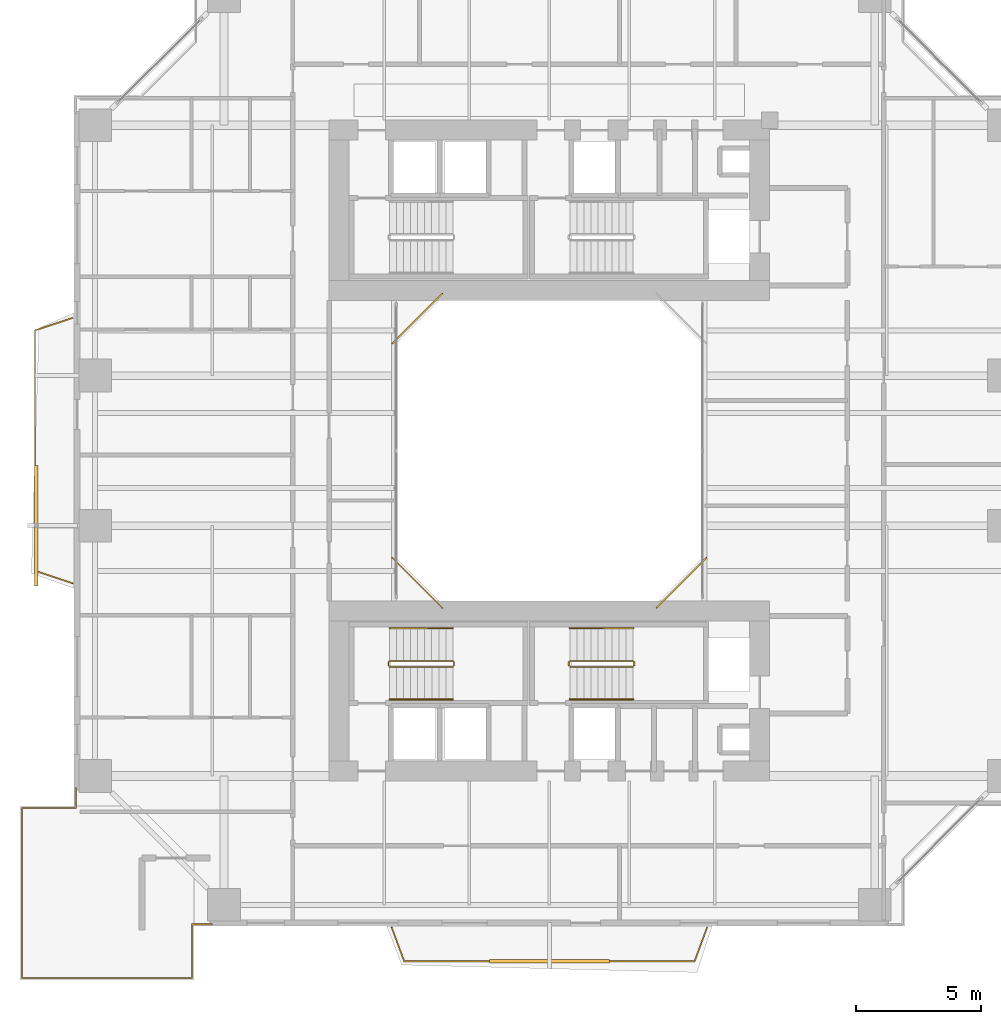
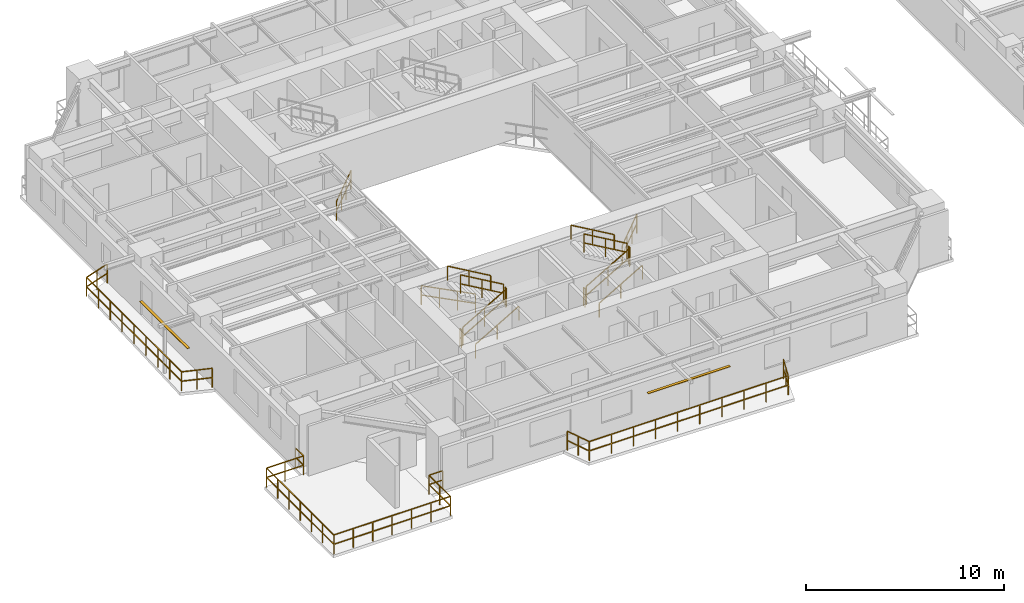
# One storey, part 20 of 24: 18 railings, 2 shading devices.
"""IFC4 building model written with IfcOpenShell, lengths in metres."""

import ifcopenshell
import ifcopenshell.guid

model = None  # the IFC model being written
_history = None  # IfcOwnerHistory: only IFC2X3 demands one
_inside = {}  # id of a spatial element -> (the spatial element, [elements in it])
_under = {}  # id of a project, library or spatial element -> (it, [spatial elements below it])
_declared = {}  # id of a project -> (the project, [libraries it declares])
_typed = {}  # id of a type object -> (the type object, [elements of that type])
_made_of = {}  # id of a material, layer set ... -> (it, [elements and type objects made of it])


def new_model(schema):
    """Start an empty IFC model of exactly this schema.

    Asked for "IFC4X3", IfcOpenShell would pick the latest addendum, in which some entities
    have other attributes; the version numbers below select the first issue.
    IFC2X3 requires an IfcOwnerHistory on every rooted entity: one is made here for all.
    """
    global model, _history
    if schema == "IFC4X3":
        model = ifcopenshell.file(schema_version=(4, 3, 0, 0))
    else:
        model = ifcopenshell.file(schema=schema)
    _inside.clear()
    _under.clear()
    _declared.clear()
    _typed.clear()
    _made_of.clear()
    _history = None
    if model.schema == "IFC2X3":
        org = make("IfcOrganization", Name="unknown")
        user = make(
            "IfcPersonAndOrganization",
            ThePerson=make("IfcPerson", FamilyName="unknown"),
            TheOrganization=org,
        )
        app = make(
            "IfcApplication",
            ApplicationDeveloper=org,
            Version="unknown",
            ApplicationFullName="unknown",
            ApplicationIdentifier="unknown",
        )
        _history = make(
            "IfcOwnerHistory",
            OwningUser=user,
            OwningApplication=app,
            ChangeAction="ADDED",
            CreationDate=0,
        )
    return model


def make(cls, **values):
    """One entity of the class cls with the attributes given. An attribute that is None is left unset."""
    return model.create_entity(
        cls, **{name: value for name, value in values.items() if value is not None}
    )


def rooted(cls, **values):
    """An entity with a GlobalId (a new one), such as an element, a storey or a relation."""
    return make(cls, GlobalId=ifcopenshell.guid.new(), OwnerHistory=_history, **values)


def si_unit(unit_type, name, prefix=None):
    """IfcSIUnit, for example si_unit("LENGTHUNIT", "METRE", prefix="MILLI")."""
    return make("IfcSIUnit", UnitType=unit_type, Prefix=prefix, Name=name)


def assignment(units):
    """IfcUnitAssignment: the units of a project."""
    return None if units is None else make("IfcUnitAssignment", Units=units)


def point(xyz):
    """IfcCartesianPoint."""
    return None if xyz is None else make("IfcCartesianPoint", Coordinates=xyz)


def direction(xyz):
    """IfcDirection."""
    return None if xyz is None else make("IfcDirection", DirectionRatios=xyz)


def frame(location, z_axis=None, x_axis=None):
    """IfcAxis2Placement3D, a coordinate frame: its origin and axes. An axis left out is left unset."""
    return make(
        "IfcAxis2Placement3D",
        Location=point(location),
        Axis=direction(z_axis),
        RefDirection=direction(x_axis),
    )


def frame_2d(location, x_axis=None):
    """IfcAxis2Placement2D, a coordinate frame in the plane: its origin and x axis."""
    return make(
        "IfcAxis2Placement2D", Location=point(location), RefDirection=direction(x_axis)
    )


def origin():
    """The frame at (0, 0, 0) with its axes left unset."""
    return frame((0.0, 0.0, 0.0))


def origin_2d():
    """The frame at (0, 0) in the plane with its x axis left unset."""
    return frame_2d((0.0, 0.0))


def place(relative_to, where):
    """IfcLocalPlacement: puts the frame where relative to a parent placement (None: the world)."""
    return make(
        "IfcLocalPlacement", PlacementRelTo=relative_to, RelativePlacement=where
    )


def context(
    kind, dimensions, precision=None, world=None, true_north=None, identifier=None
):
    """IfcGeometricRepresentationContext, for example the 3D "Model" context."""
    return make(
        "IfcGeometricRepresentationContext",
        ContextIdentifier=identifier,
        ContextType=kind,
        CoordinateSpaceDimension=dimensions,
        Precision=precision,
        WorldCoordinateSystem=world,
        TrueNorth=true_north,
    )


def subcontext(parent, identifier, kind, view, scale=None):
    """IfcGeometricRepresentationSubContext, for example "Body" below "Model"."""
    return make(
        "IfcGeometricRepresentationSubContext",
        ContextIdentifier=identifier,
        ContextType=kind,
        ParentContext=parent,
        TargetScale=scale,
        TargetView=view,
    )


def project(units=None, contexts=None):
    """IfcProject with its units and contexts."""
    return rooted(
        "IfcProject",
        Name="project",
        RepresentationContexts=contexts,
        UnitsInContext=assignment(units),
    )


def spatial(cls, under=None, at=None, **own):
    """A site, building, storey or space (cls), placed at a placement, below another one or the project."""
    s = rooted(cls, ObjectPlacement=at, **own)
    if under is not None:
        _under.setdefault(under.id(), (under, []))[1].append(s)
    return s


def profile(cls, at=None, kind="AREA", **sizes):
    """A parametric profile (cls). Its sizes go by their IFC names, for example OverallWidth=200.0."""
    return make(cls, ProfileType=kind, Position=at, **sizes)


def rectangle(**sizes):
    """IfcRectangleProfileDef."""
    return profile("IfcRectangleProfileDef", **sizes)


def extrude(swept, where, along, depth):
    """IfcExtrudedAreaSolid: the profile swept, set in the frame where, extruded along a direction by depth."""
    return make(
        "IfcExtrudedAreaSolid",
        SweptArea=swept,
        Position=where,
        ExtrudedDirection=direction(along),
        Depth=depth,
    )


def shape(context_of_items, identifier, shape_type, items):
    """IfcShapeRepresentation: the items that make up one representation, for example the "Body"."""
    return make(
        "IfcShapeRepresentation",
        ContextOfItems=context_of_items,
        RepresentationIdentifier=identifier,
        RepresentationType=shape_type,
        Items=items,
    )


def source(mapping_origin, context_of_items, identifier, shape_type, items):
    """IfcRepresentationMap: a shape defined once, which mapped items show again and again."""
    return make(
        "IfcRepresentationMap",
        MappingOrigin=mapping_origin,
        MappedRepresentation=shape(context_of_items, identifier, shape_type, items),
    )


def transform(
    local_origin,
    x_axis=None,
    y_axis=None,
    z_axis=None,
    scale=None,
    scale2=None,
    scale3=None,
    uniform=True,
):
    """IfcCartesianTransformationOperator3D, or its non-uniform kind. x_axis, y_axis, z_axis: its Axis1, 2, 3."""
    if uniform:
        return make(
            "IfcCartesianTransformationOperator3D",
            Axis1=direction(x_axis),
            Axis2=direction(y_axis),
            LocalOrigin=point(local_origin),
            Scale=scale,
            Axis3=direction(z_axis),
        )
    return make(
        "IfcCartesianTransformationOperator3DnonUniform",
        Axis1=direction(x_axis),
        Axis2=direction(y_axis),
        LocalOrigin=point(local_origin),
        Scale=scale,
        Axis3=direction(z_axis),
        Scale2=scale2,
        Scale3=scale3,
    )


def mapped(mapping_source, mapping_target):
    """IfcMappedItem: shows the shape of a source again, moved by a transform."""
    return make(
        "IfcMappedItem", MappingSource=mapping_source, MappingTarget=mapping_target
    )


def material(Name=None, Category=None):
    """IfcMaterial."""
    return make("IfcMaterial", Name=Name, Category=Category)


def material_profile(
    of_material, cross_section, Name=None, Category=None, Priority=None
):
    """IfcMaterialProfile: a cross section and its material."""
    return make(
        "IfcMaterialProfile",
        Name=Name,
        Material=of_material,
        Profile=cross_section,
        Priority=Priority,
        Category=Category,
    )


def profile_set(profiles, Name=None, composite=None):
    """IfcMaterialProfileSet."""
    return make(
        "IfcMaterialProfileSet",
        Name=Name,
        MaterialProfiles=profiles,
        CompositeProfile=composite,
    )


def made_of(thing, what):
    """Note that an element or type object is made of a material, layer set ...; save() writes the relation."""
    if what is not None:
        _made_of.setdefault(what.id(), (what, []))[1].append(thing)
    return thing


def type_object(cls, material=None, **own):
    """A type object (cls), such as IfcWallType, which elements share."""
    return made_of(rooted(cls, **own), material)


def element(
    cls,
    number,
    at=None,
    inside=None,
    cuts=None,
    type_object=None,
    material=None,
    context=None,
    identifier="Body",
    shape_type=None,
    held_by="IfcProductDefinitionShape",
    body=None,
    shapes=None,
    **own,
):
    """One element of the class cls, such as IfcWall. Its Tag is "e" and its number.

    at: its placement. inside: the storey or other place that contains it. cuts: it is an
    opening in that element (IfcRelVoidsElement). A single representation is given by context,
    identifier, shape_type and body (its items); several are given by shapes. held_by: the class
    of the entity that holds the representations. save() writes the other relations.
    """
    e = rooted(cls, Tag="e%d" % number, ObjectPlacement=at, **own)
    if body is not None:
        shapes = [shape(context, identifier, shape_type, body)]
    if shapes is not None:
        e.Representation = make(held_by, Representations=shapes)
    if inside is not None:
        _inside.setdefault(inside.id(), (inside, []))[1].append(e)
    if cuts is not None:
        rooted(
            "IfcRelVoidsElement", RelatingBuildingElement=cuts, RelatedOpeningElement=e
        )
    if type_object is not None:
        _typed.setdefault(type_object.id(), (type_object, []))[1].append(e)
    return made_of(e, material)


def aggregate(whole, parts):
    """IfcRelAggregates: a whole, such as a stair, and the parts it consists of."""
    return rooted("IfcRelAggregates", RelatingObject=whole, RelatedObjects=parts)


def save(model, path):
    """Write the relations noted so far, then the file.

    IfcRelAggregates (storeys below a building ...), IfcRelContainedInSpatialStructure (elements
    in a storey), IfcRelDefinesByType, IfcRelAssociatesMaterial and IfcRelDeclares: one each for
    every whole, place, type object, material and project.
    """
    for whole, parts in _under.values():
        aggregate(whole, parts)
    for where, things in _inside.values():
        rooted(
            "IfcRelContainedInSpatialStructure",
            RelatedElements=things,
            RelatingStructure=where,
        )
    for kind, things in _typed.values():
        rooted("IfcRelDefinesByType", RelatedObjects=things, RelatingType=kind)
    for what, things in _made_of.values():
        rooted("IfcRelAssociatesMaterial", RelatedObjects=things, RelatingMaterial=what)
    for by, libraries in _declared.values():
        rooted("IfcRelDeclares", RelatingContext=by, RelatedDefinitions=libraries)
    model.write(path)


model = new_model("IFC4")

# Units and contexts
model_context = context("Model", 3, precision=1e-05, world=origin(), true_north=direction((0.0, 1.0)))
body_context = subcontext(model_context, "Body", "Model", "MODEL_VIEW")
ifc_project = project(units=[si_unit("LENGTHUNIT", "METRE"), si_unit("AREAUNIT", "SQUARE_METRE"), si_unit("VOLUMEUNIT", "CUBIC_METRE"), si_unit("PLANEANGLEUNIT", "RADIAN"), si_unit("MASSUNIT", "GRAM", prefix="KILO"), si_unit("THERMODYNAMICTEMPERATUREUNIT", "KELVIN"), si_unit("POWERUNIT", "WATT")], contexts=[model_context])

# Site, building, storey
site_placement = place(None, origin())
site = spatial("IfcSite", under=ifc_project, at=site_placement, CompositionType="ELEMENT")
building_placement = place(site_placement, origin())
building = spatial("IfcBuilding", under=site, at=building_placement, Name="Qiaomeng Ring Towers", CompositionType="ELEMENT")
storey_placement = place(building_placement, frame((0.0, 0.0, 63.25)))
storey = spatial("IfcBuildingStorey", under=building, at=storey_placement, Name="L17", CompositionType="ELEMENT", Elevation=63.25)

# Railings
ifc_material_1 = material(Name="Low-E pale-green laminated safety glass", Category="glass")
railing_type_1 = type_object("IfcRailingType", Name="ARC-RL-BAL1", PredefinedType="BALUSTRADE", material=ifc_material_1)
railing_1_placement = place(storey_placement, frame((23.280029296875, 16.719970703125, 0.0)))
element("IfcRailing", 1, at=railing_1_placement, inside=storey, type_object=railing_type_1, Name="L17 Balustrade ARC-BAL-WELL1-L17-1", PredefinedType="BALUSTRADE", context=body_context, shape_type="SweptSolid", body=[
    extrude(rectangle(XDim=0.048095703125, YDim=0.048095703125, at=origin_2d()), frame((0.0, 0.0, 1.17578125), z_axis=(0.707106781187, 0.707106781187, 0.0), x_axis=(-0.707106781187, 0.707106781187, 0.0)), (0.0, 0.0, 1.0), 2.828369140625),
    extrude(rectangle(XDim=0.048095703125, YDim=0.048095703125, at=origin_2d()), frame((0.0, 0.0, 0.60009765625), z_axis=(0.707106781187, 0.707106781187, 0.0), x_axis=(-0.707106781187, 0.707106781187, 0.0)), (0.0, 0.0, 1.0), 2.828369140625),
    extrude(rectangle(XDim=0.0419921875, YDim=0.0419921875, at=origin_2d()), origin(), (0.0, 0.0, 1.0), 1.15185546875),
    extrude(rectangle(XDim=0.0419921875, YDim=0.0419921875, at=origin_2d()), frame((0.666748046875, 0.666748046875, 0.0)), (0.0, 0.0, 1.0), 1.15185546875),
    extrude(rectangle(XDim=0.0419921875, YDim=0.0419921875, at=origin_2d()), frame((1.333251953125, 1.333251953125, 0.0)), (0.0, 0.0, 1.0), 1.15185546875),
    extrude(rectangle(XDim=0.0419921875, YDim=0.0419921875, at=origin_2d()), frame((2.0, 2.0, 0.0)), (0.0, 0.0, 1.0), 1.15185546875),
])
railing_2_placement = place(storey_placement, frame((14.719970703125, 29.280029296875, 0.0)))
element("IfcRailing", 2, at=railing_2_placement, inside=storey, type_object=railing_type_1, Name="L17 Balustrade ARC-BAL-WELL1-L17-3", PredefinedType="BALUSTRADE", context=body_context, shape_type="SweptSolid", body=[
    extrude(rectangle(XDim=0.048095703125, YDim=0.048095703125, at=origin_2d()), frame((0.0, 0.0, 1.17578125), z_axis=(-0.707106781187, -0.707106781187, 0.0), x_axis=(0.707106781187, -0.707106781187, 0.0)), (0.0, 0.0, 1.0), 2.828369140625),
    extrude(rectangle(XDim=0.048095703125, YDim=0.048095703125, at=origin_2d()), frame((0.0, 0.0, 0.60009765625), z_axis=(-0.707106781187, -0.707106781187, 0.0), x_axis=(0.707106781187, -0.707106781187, 0.0)), (0.0, 0.0, 1.0), 2.828369140625),
    extrude(rectangle(XDim=0.0419921875, YDim=0.0419921875, at=origin_2d()), origin(), (0.0, 0.0, 1.0), 1.15185546875),
    extrude(rectangle(XDim=0.0419921875, YDim=0.0419921875, at=origin_2d()), frame((-0.666748046875, -0.666748046875, 0.0)), (0.0, 0.0, 1.0), 1.15185546875),
    extrude(rectangle(XDim=0.0419921875, YDim=0.0419921875, at=origin_2d()), frame((-1.333251953125, -1.333251953125, 0.0)), (0.0, 0.0, 1.0), 1.15185546875),
    extrude(rectangle(XDim=0.0419921875, YDim=0.0419921875, at=origin_2d()), frame((-2.0, -2.0, 0.0)), (0.0, 0.0, 1.0), 1.15185546875),
])
railing_3_placement = place(storey_placement, frame((12.719970703125, 18.719970703125, 0.0)))
element("IfcRailing", 3, at=railing_3_placement, inside=storey, type_object=railing_type_1, Name="L17 Balustrade ARC-BAL-WELL1-L17-4", PredefinedType="BALUSTRADE", context=body_context, shape_type="SweptSolid", body=[
    extrude(rectangle(XDim=0.048095703125, YDim=0.048095703125, at=origin_2d()), frame((0.0, 0.0, 1.17578125), z_axis=(0.707106781187, -0.707106781187, 0.0), x_axis=(0.707106781187, 0.707106781187, 0.0)), (0.0, 0.0, 1.0), 2.828369140625),
    extrude(rectangle(XDim=0.048095703125, YDim=0.048095703125, at=origin_2d()), frame((0.0, 0.0, 0.60009765625), z_axis=(0.707106781187, -0.707106781187, 0.0), x_axis=(0.707106781187, 0.707106781187, 0.0)), (0.0, 0.0, 1.0), 2.828369140625),
    extrude(rectangle(XDim=0.0419921875, YDim=0.0419921875, at=origin_2d()), origin(), (0.0, 0.0, 1.0), 1.15185546875),
    extrude(rectangle(XDim=0.0419921875, YDim=0.0419921875, at=origin_2d()), frame((0.666748046875, -0.666748046875, 0.0)), (0.0, 0.0, 1.0), 1.15185546875),
    extrude(rectangle(XDim=0.0419921875, YDim=0.0419921875, at=origin_2d()), frame((1.333251953125, -1.333251953125, 0.0)), (0.0, 0.0, 1.0), 1.15185546875),
    extrude(rectangle(XDim=0.0419921875, YDim=0.0419921875, at=origin_2d()), frame((2.0, -2.0, 0.0)), (0.0, 0.0, 1.0), 1.15185546875),
])
railing_4_placement = place(storey_placement, frame((0.080078125, 9.52001953125, 0.0)))
element("IfcRailing", 4, at=railing_4_placement, inside=storey, type_object=railing_type_1, Name="L17 Balustrade ARC-BAL-L17-SPIRAL-SW", PredefinedType="BALUSTRADE", context=body_context, shape_type="SweptSolid", body=[
    extrude(rectangle(XDim=0.048095703125, YDim=0.048095703125, at=origin_2d()), frame((0.0, 0.0, 1.17578125), z_axis=(0.0, -1.0, 0.0), x_axis=(1.0, 0.0, 0.0)), (0.0, 0.0, 1.0), 0.800048828125),
    extrude(rectangle(XDim=0.048095703125, YDim=0.048095703125, at=origin_2d()), frame((0.0, 0.0, 0.60009765625), z_axis=(0.0, -1.0, 0.0), x_axis=(1.0, 0.0, 0.0)), (0.0, 0.0, 1.0), 0.800048828125),
    extrude(rectangle(XDim=0.048095703125, YDim=0.048095703125, at=origin_2d()), frame((0.0, -0.800048828125, 1.17578125), z_axis=(-1.0, 0.0, 0.0), x_axis=(0.0, -1.0, 0.0)), (0.0, 0.0, 1.0), 2.150146484375),
    extrude(rectangle(XDim=0.048095703125, YDim=0.048095703125, at=origin_2d()), frame((0.0, -0.800048828125, 0.60009765625), z_axis=(-1.0, 0.0, 0.0), x_axis=(0.0, -1.0, 0.0)), (0.0, 0.0, 1.0), 2.150146484375),
    extrude(rectangle(XDim=0.048095703125, YDim=0.048095703125, at=origin_2d()), frame((-2.150146484375, -0.800048828125, 1.17578125), z_axis=(0.0, -1.0, 0.0), x_axis=(1.0, 0.0, 0.0)), (0.0, 0.0, 1.0), 6.7900390625),
    extrude(rectangle(XDim=0.048095703125, YDim=0.048095703125, at=origin_2d()), frame((-2.150146484375, -0.800048828125, 0.60009765625), z_axis=(0.0, -1.0, 0.0), x_axis=(1.0, 0.0, 0.0)), (0.0, 0.0, 1.0), 6.7900390625),
    extrude(rectangle(XDim=0.048095703125, YDim=0.048095703125, at=origin_2d()), frame((-2.150146484375, -7.590087890625, 1.17578125), z_axis=(1.0, 0.0, 0.0), x_axis=(0.0, 1.0, 0.0)), (0.0, 0.0, 1.0), 6.7900390625),
    extrude(rectangle(XDim=0.048095703125, YDim=0.048095703125, at=origin_2d()), frame((-2.150146484375, -7.590087890625, 0.60009765625), z_axis=(1.0, 0.0, 0.0), x_axis=(0.0, 1.0, 0.0)), (0.0, 0.0, 1.0), 6.7900390625),
    extrude(rectangle(XDim=0.048095703125, YDim=0.048095703125, at=origin_2d()), frame((4.639892578125, -7.590087890625, 1.17578125), z_axis=(0.0, 1.0, 0.0), x_axis=(-1.0, 0.0, 0.0)), (0.0, 0.0, 1.0), 2.150146484375),
    extrude(rectangle(XDim=0.048095703125, YDim=0.048095703125, at=origin_2d()), frame((4.639892578125, -7.590087890625, 0.60009765625), z_axis=(0.0, 1.0, 0.0), x_axis=(-1.0, 0.0, 0.0)), (0.0, 0.0, 1.0), 2.150146484375),
    extrude(rectangle(XDim=0.048095703125, YDim=0.048095703125, at=origin_2d()), frame((4.639892578125, -5.43994140625, 1.17578125), z_axis=(1.0, 0.0, 0.0), x_axis=(0.0, 1.0, 0.0)), (0.0, 0.0, 1.0), 0.800048828125),
    extrude(rectangle(XDim=0.048095703125, YDim=0.048095703125, at=origin_2d()), frame((4.639892578125, -5.43994140625, 0.60009765625), z_axis=(1.0, 0.0, 0.0), x_axis=(0.0, 1.0, 0.0)), (0.0, 0.0, 1.0), 0.800048828125),
    extrude(rectangle(XDim=0.0419921875, YDim=0.0419921875, at=origin_2d()), origin(), (0.0, 0.0, 1.0), 1.15185546875),
    extrude(rectangle(XDim=0.0419921875, YDim=0.0419921875, at=origin_2d()), frame((0.0, -0.800048828125, 0.0)), (0.0, 0.0, 1.0), 1.15185546875),
    extrude(rectangle(XDim=0.0419921875, YDim=0.0419921875, at=origin_2d()), frame((-1.0751953125, -0.800048828125, 0.0)), (0.0, 0.0, 1.0), 1.15185546875),
    extrude(rectangle(XDim=0.0419921875, YDim=0.0419921875, at=origin_2d()), frame((-2.150146484375, -0.800048828125, 0.0)), (0.0, 0.0, 1.0), 1.15185546875),
    extrude(rectangle(XDim=0.0419921875, YDim=0.0419921875, at=origin_2d()), frame((-2.150146484375, -1.931640625, 0.0)), (0.0, 0.0, 1.0), 1.15185546875),
    extrude(rectangle(XDim=0.0419921875, YDim=0.0419921875, at=origin_2d()), frame((-2.150146484375, -3.0634765625, 0.0)), (0.0, 0.0, 1.0), 1.15185546875),
    extrude(rectangle(XDim=0.0419921875, YDim=0.0419921875, at=origin_2d()), frame((-2.150146484375, -4.195068359375, 0.0)), (0.0, 0.0, 1.0), 1.15185546875),
    extrude(rectangle(XDim=0.0419921875, YDim=0.0419921875, at=origin_2d()), frame((-2.150146484375, -5.32666015625, 0.0)), (0.0, 0.0, 1.0), 1.15185546875),
    extrude(rectangle(XDim=0.0419921875, YDim=0.0419921875, at=origin_2d()), frame((-2.150146484375, -6.45849609375, 0.0)), (0.0, 0.0, 1.0), 1.15185546875),
    extrude(rectangle(XDim=0.0419921875, YDim=0.0419921875, at=origin_2d()), frame((-2.150146484375, -7.590087890625, 0.0)), (0.0, 0.0, 1.0), 1.15185546875),
    extrude(rectangle(XDim=0.0419921875, YDim=0.0419921875, at=origin_2d()), frame((-1.0185546875, -7.590087890625, 0.0)), (0.0, 0.0, 1.0), 1.15185546875),
    extrude(rectangle(XDim=0.0419921875, YDim=0.0419921875, at=origin_2d()), frame((0.11328125, -7.590087890625, 0.0)), (0.0, 0.0, 1.0), 1.15185546875),
    extrude(rectangle(XDim=0.0419921875, YDim=0.0419921875, at=origin_2d()), frame((1.244873046875, -7.590087890625, 0.0)), (0.0, 0.0, 1.0), 1.15185546875),
    extrude(rectangle(XDim=0.0419921875, YDim=0.0419921875, at=origin_2d()), frame((2.37646484375, -7.590087890625, 0.0)), (0.0, 0.0, 1.0), 1.15185546875),
    extrude(rectangle(XDim=0.0419921875, YDim=0.0419921875, at=origin_2d()), frame((3.50830078125, -7.590087890625, 0.0)), (0.0, 0.0, 1.0), 1.15185546875),
    extrude(rectangle(XDim=0.0419921875, YDim=0.0419921875, at=origin_2d()), frame((4.639892578125, -7.590087890625, 0.0)), (0.0, 0.0, 1.0), 1.15185546875),
    extrude(rectangle(XDim=0.0419921875, YDim=0.0419921875, at=origin_2d()), frame((4.639892578125, -6.51513671875, 0.0)), (0.0, 0.0, 1.0), 1.15185546875),
    extrude(rectangle(XDim=0.0419921875, YDim=0.0419921875, at=origin_2d()), frame((4.639892578125, -5.43994140625, 0.0)), (0.0, 0.0, 1.0), 1.15185546875),
    extrude(rectangle(XDim=0.0419921875, YDim=0.0419921875, at=origin_2d()), frame((5.43994140625, -5.43994140625, 0.0)), (0.0, 0.0, 1.0), 1.15185546875),
])
railing_5_placement = place(storey_placement, frame((12.699951171875, 3.949951171875, 0.0)))
element("IfcRailing", 5, at=railing_5_placement, inside=storey, type_object=railing_type_1, Name="L17 Balustrade ARC-BAL-L17-T1-S", PredefinedType="BALUSTRADE", context=body_context, shape_type="SweptSolid", body=[
    extrude(rectangle(XDim=0.048095703125, YDim=0.048095703125, at=origin_2d()), frame((0.0, 0.0, 1.17578125), z_axis=(0.347347498827, -0.937736484871, 0.0), x_axis=(0.937736484871, 0.347347498827, 0.0)), (0.0, 0.0, 1.0), 1.439453125),
    extrude(rectangle(XDim=0.048095703125, YDim=0.048095703125, at=origin_2d()), frame((0.0, 0.0, 0.60009765625), z_axis=(0.347347498827, -0.937736484871, 0.0), x_axis=(0.937736484871, 0.347347498827, 0.0)), (0.0, 0.0, 1.0), 1.439453125),
    extrude(rectangle(XDim=0.048095703125, YDim=0.048095703125, at=origin_2d()), frame((0.5, -1.349853515625, 1.17578125), z_axis=(1.0, 0.0, 0.0), x_axis=(0.0, 1.0, 0.0)), (0.0, 0.0, 1.0), 11.60009765625),
    extrude(rectangle(XDim=0.048095703125, YDim=0.048095703125, at=origin_2d()), frame((0.5, -1.349853515625, 0.60009765625), z_axis=(1.0, 0.0, 0.0), x_axis=(0.0, 1.0, 0.0)), (0.0, 0.0, 1.0), 11.60009765625),
    extrude(rectangle(XDim=0.048095703125, YDim=0.048095703125, at=origin_2d()), frame((12.10009765625, -1.349853515625, 1.17578125), z_axis=(0.347347498827, 0.937736484871, 0.0), x_axis=(-0.937736484871, 0.347347498827, 0.0)), (0.0, 0.0, 1.0), 1.439453125),
    extrude(rectangle(XDim=0.048095703125, YDim=0.048095703125, at=origin_2d()), frame((12.10009765625, -1.349853515625, 0.60009765625), z_axis=(0.347347498827, 0.937736484871, 0.0), x_axis=(-0.937736484871, 0.347347498827, 0.0)), (0.0, 0.0, 1.0), 1.439453125),
    extrude(rectangle(XDim=0.0419921875, YDim=0.0419921875, at=origin_2d()), origin(), (0.0, 0.0, 1.0), 1.15185546875),
    extrude(rectangle(XDim=0.0419921875, YDim=0.0419921875, at=origin_2d()), frame((0.25, -0.6748046875, 0.0)), (0.0, 0.0, 1.0), 1.15185546875),
    extrude(rectangle(XDim=0.0419921875, YDim=0.0419921875, at=origin_2d()), frame((0.5, -1.349853515625, 0.0)), (0.0, 0.0, 1.0), 1.15185546875),
    extrude(rectangle(XDim=0.0419921875, YDim=0.0419921875, at=origin_2d()), frame((1.788818359375, -1.349853515625, 0.0)), (0.0, 0.0, 1.0), 1.15185546875),
    extrude(rectangle(XDim=0.0419921875, YDim=0.0419921875, at=origin_2d()), frame((3.077880859375, -1.349853515625, 0.0)), (0.0, 0.0, 1.0), 1.15185546875),
    extrude(rectangle(XDim=0.0419921875, YDim=0.0419921875, at=origin_2d()), frame((4.36669921875, -1.349853515625, 0.0)), (0.0, 0.0, 1.0), 1.15185546875),
    extrude(rectangle(XDim=0.0419921875, YDim=0.0419921875, at=origin_2d()), frame((5.655517578125, -1.349853515625, 0.0)), (0.0, 0.0, 1.0), 1.15185546875),
    extrude(rectangle(XDim=0.0419921875, YDim=0.0419921875, at=origin_2d()), frame((6.944580078125, -1.349853515625, 0.0)), (0.0, 0.0, 1.0), 1.15185546875),
    extrude(rectangle(XDim=0.0419921875, YDim=0.0419921875, at=origin_2d()), frame((8.2333984375, -1.349853515625, 0.0)), (0.0, 0.0, 1.0), 1.15185546875),
    extrude(rectangle(XDim=0.0419921875, YDim=0.0419921875, at=origin_2d()), frame((9.522216796875, -1.349853515625, 0.0)), (0.0, 0.0, 1.0), 1.15185546875),
    extrude(rectangle(XDim=0.0419921875, YDim=0.0419921875, at=origin_2d()), frame((10.811279296875, -1.349853515625, 0.0)), (0.0, 0.0, 1.0), 1.15185546875),
    extrude(rectangle(XDim=0.0419921875, YDim=0.0419921875, at=origin_2d()), frame((12.10009765625, -1.349853515625, 0.0)), (0.0, 0.0, 1.0), 1.15185546875),
    extrude(rectangle(XDim=0.0419921875, YDim=0.0419921875, at=origin_2d()), frame((12.35009765625, -0.6748046875, 0.0)), (0.0, 0.0, 1.0), 1.15185546875),
    extrude(rectangle(XDim=0.0419921875, YDim=0.0419921875, at=origin_2d()), frame((12.60009765625, 0.0, 0.0)), (0.0, 0.0, 1.0), 1.15185546875),
])
railing_6_placement = place(storey_placement, frame((-0.050048828125, 17.699951171875, 0.0)))
element("IfcRailing", 6, at=railing_6_placement, inside=storey, type_object=railing_type_1, Name="L17 Balustrade ARC-BAL-L17-T1-W", PredefinedType="BALUSTRADE", context=body_context, shape_type="SweptSolid", body=[
    extrude(rectangle(XDim=0.048095703125, YDim=0.048095703125, at=origin_2d()), frame((0.0, 0.0, 1.17578125), z_axis=(-0.948683298051, 0.316227766017, 0.0), x_axis=(-0.316227766017, -0.948683298051, 0.0)), (0.0, 0.0, 1.0), 1.5810546875),
    extrude(rectangle(XDim=0.048095703125, YDim=0.048095703125, at=origin_2d()), frame((0.0, 0.0, 0.60009765625), z_axis=(-0.948683298051, 0.316227766017, 0.0), x_axis=(-0.316227766017, -0.948683298051, 0.0)), (0.0, 0.0, 1.0), 1.5810546875),
    extrude(rectangle(XDim=0.048095703125, YDim=0.048095703125, at=origin_2d()), frame((-1.5, 0.5, 1.17578125), z_axis=(0.0, 1.0, 0.0), x_axis=(-1.0, 0.0, 0.0)), (0.0, 0.0, 1.0), 9.60009765625),
    extrude(rectangle(XDim=0.048095703125, YDim=0.048095703125, at=origin_2d()), frame((-1.5, 0.5, 0.60009765625), z_axis=(0.0, 1.0, 0.0), x_axis=(-1.0, 0.0, 0.0)), (0.0, 0.0, 1.0), 9.60009765625),
    extrude(rectangle(XDim=0.048095703125, YDim=0.048095703125, at=origin_2d()), frame((-1.5, 10.10009765625, 1.17578125), z_axis=(0.948683298051, 0.316227766017, 0.0), x_axis=(-0.316227766017, 0.948683298051, 0.0)), (0.0, 0.0, 1.0), 1.5810546875),
    extrude(rectangle(XDim=0.048095703125, YDim=0.048095703125, at=origin_2d()), frame((-1.5, 10.10009765625, 0.60009765625), z_axis=(0.948683298051, 0.316227766017, 0.0), x_axis=(-0.316227766017, 0.948683298051, 0.0)), (0.0, 0.0, 1.0), 1.5810546875),
    extrude(rectangle(XDim=0.0419921875, YDim=0.0419921875, at=origin_2d()), origin(), (0.0, 0.0, 1.0), 1.15185546875),
    extrude(rectangle(XDim=0.0419921875, YDim=0.0419921875, at=origin_2d()), frame((-0.75, 0.25, 0.0)), (0.0, 0.0, 1.0), 1.15185546875),
    extrude(rectangle(XDim=0.0419921875, YDim=0.0419921875, at=origin_2d()), frame((-1.5, 0.5, 0.0)), (0.0, 0.0, 1.0), 1.15185546875),
    extrude(rectangle(XDim=0.0419921875, YDim=0.0419921875, at=origin_2d()), frame((-1.5, 1.699951171875, 0.0)), (0.0, 0.0, 1.0), 1.15185546875),
    extrude(rectangle(XDim=0.0419921875, YDim=0.0419921875, at=origin_2d()), frame((-1.5, 2.89990234375, 0.0)), (0.0, 0.0, 1.0), 1.15185546875),
    extrude(rectangle(XDim=0.0419921875, YDim=0.0419921875, at=origin_2d()), frame((-1.5, 4.10009765625, 0.0)), (0.0, 0.0, 1.0), 1.15185546875),
    extrude(rectangle(XDim=0.0419921875, YDim=0.0419921875, at=origin_2d()), frame((-1.5, 5.300048828125, 0.0)), (0.0, 0.0, 1.0), 1.15185546875),
    extrude(rectangle(XDim=0.0419921875, YDim=0.0419921875, at=origin_2d()), frame((-1.5, 6.5, 0.0)), (0.0, 0.0, 1.0), 1.15185546875),
    extrude(rectangle(XDim=0.0419921875, YDim=0.0419921875, at=origin_2d()), frame((-1.5, 7.7001953125, 0.0)), (0.0, 0.0, 1.0), 1.15185546875),
    extrude(rectangle(XDim=0.0419921875, YDim=0.0419921875, at=origin_2d()), frame((-1.5, 8.900146484375, 0.0)), (0.0, 0.0, 1.0), 1.15185546875),
    extrude(rectangle(XDim=0.0419921875, YDim=0.0419921875, at=origin_2d()), frame((-1.5, 10.10009765625, 0.0)), (0.0, 0.0, 1.0), 1.15185546875),
    extrude(rectangle(XDim=0.0419921875, YDim=0.0419921875, at=origin_2d()), frame((-0.75, 10.35009765625, 0.0)), (0.0, 0.0, 1.0), 1.15185546875),
    extrude(rectangle(XDim=0.0419921875, YDim=0.0419921875, at=origin_2d()), frame((0.0, 10.60009765625, 0.0)), (0.0, 0.0, 1.0), 1.15185546875),
])
ifc_material_2 = material(Name="Galvanised steel", Category="steel")
railing_type_2 = type_object("IfcRailingType", Name="ARC-RL-GUARD", PredefinedType="GUARDRAIL", material=ifc_material_2)
railing_7_placement = place(storey_placement, frame((12.6201171875, 14.360107421875, 0.16259765625)))
element("IfcRailing", 7, at=railing_7_placement, inside=storey, type_object=railing_type_2, Name="L17 ST3 stair guard 1", PredefinedType="GUARDRAIL", context=body_context, shape_type="SweptSolid", body=[
    extrude(rectangle(XDim=0.048095703125, YDim=0.048095703125, at=origin_2d()), frame((0.0, 0.0, 1.1259765625), z_axis=(0.864892226395, 0.0, 0.501957604506), x_axis=(0.0, 1.0, 0.0)), (0.0, 0.0, 1.0), 2.913330078125),
    extrude(rectangle(XDim=0.048095703125, YDim=0.048095703125, at=origin_2d()), frame((0.0, 0.0, 0.574951171875), z_axis=(0.864892226395, 0.0, 0.501957604506), x_axis=(0.0, 1.0, 0.0)), (0.0, 0.0, 1.0), 2.913330078125),
    extrude(rectangle(XDim=0.0419921875, YDim=0.0419921875, at=origin_2d()), origin(), (0.0, 0.0, 1.0), 1.101806640625),
    extrude(rectangle(XDim=0.0419921875, YDim=0.0419921875, at=origin_2d()), frame((1.259765625, 0.0, 0.731201171875)), (0.0, 0.0, 1.0), 1.101806640625),
    extrude(rectangle(XDim=0.0419921875, YDim=0.0419921875, at=origin_2d()), frame((2.519775390625, 0.0, 1.46240234375)), (0.0, 0.0, 1.0), 1.101806640625),
])
railing_8_placement = place(storey_placement, frame((15.18994140625, 14.409912109375, 1.625)))
element("IfcRailing", 8, at=railing_8_placement, inside=storey, type_object=railing_type_2, Name="L17 ST3 stair guard 2", PredefinedType="GUARDRAIL", context=body_context, shape_type="SweptSolid", body=[
    extrude(rectangle(XDim=0.048095703125, YDim=0.048095703125, at=origin_2d()), frame((0.0, 0.0, 1.1259765625), z_axis=(0.0, 1.0, 0.0), x_axis=(-1.0, 0.0, 0.0)), (0.0, 0.0, 1.0), 0.14013671875),
    extrude(rectangle(XDim=0.048095703125, YDim=0.048095703125, at=origin_2d()), frame((0.0, 0.0, 0.574951171875), z_axis=(0.0, 1.0, 0.0), x_axis=(-1.0, 0.0, 0.0)), (0.0, 0.0, 1.0), 0.14013671875),
    extrude(rectangle(XDim=0.0419921875, YDim=0.0419921875, at=origin_2d()), origin(), (0.0, 0.0, 1.0), 1.101806640625),
    extrude(rectangle(XDim=0.0419921875, YDim=0.0419921875, at=origin_2d()), frame((0.0, 0.14013671875, 0.0)), (0.0, 0.0, 1.0), 1.101806640625),
])
railing_9_placement = place(storey_placement, frame((15.139892578125, 14.60009765625, 1.78759765625)))
element("IfcRailing", 9, at=railing_9_placement, inside=storey, type_object=railing_type_2, Name="L17 ST3 stair guard 3", PredefinedType="GUARDRAIL", context=body_context, shape_type="SweptSolid", body=[
    extrude(rectangle(XDim=0.048095703125, YDim=0.048095703125, at=origin_2d()), frame((0.0, 0.0, 1.1259765625), z_axis=(-0.864892226395, 0.0, 0.501957604506), x_axis=(0.0, -1.0, 0.0)), (0.0, 0.0, 1.0), 2.913330078125),
    extrude(rectangle(XDim=0.048095703125, YDim=0.048095703125, at=origin_2d()), frame((0.0, 0.0, 0.574951171875), z_axis=(-0.864892226395, 0.0, 0.501957604506), x_axis=(0.0, -1.0, 0.0)), (0.0, 0.0, 1.0), 2.913330078125),
    extrude(rectangle(XDim=0.0419921875, YDim=0.0419921875, at=origin_2d()), origin(), (0.0, 0.0, 1.0), 1.101806640625),
    extrude(rectangle(XDim=0.0419921875, YDim=0.0419921875, at=origin_2d()), frame((-1.259765625, 0.0, 0.731201171875)), (0.0, 0.0, 1.0), 1.101806640625),
    extrude(rectangle(XDim=0.0419921875, YDim=0.0419921875, at=origin_2d()), frame((-2.519775390625, 0.0, 1.46240234375)), (0.0, 0.0, 1.0), 1.101806640625),
])
railing_10_placement = place(storey_placement, frame((12.570068359375, 14.409912109375, 0.0)))
element("IfcRailing", 10, at=railing_10_placement, inside=storey, type_object=railing_type_2, Name="L17 ST3 stair guard 4", PredefinedType="GUARDRAIL", context=body_context, shape_type="SweptSolid", body=[
    extrude(rectangle(XDim=0.048095703125, YDim=0.048095703125, at=origin_2d()), frame((0.0, 0.0, 1.1259765625), z_axis=(0.0, 1.0, 0.0), x_axis=(-1.0, 0.0, 0.0)), (0.0, 0.0, 1.0), 0.14013671875),
    extrude(rectangle(XDim=0.048095703125, YDim=0.048095703125, at=origin_2d()), frame((0.0, 0.0, 0.574951171875), z_axis=(0.0, 1.0, 0.0), x_axis=(-1.0, 0.0, 0.0)), (0.0, 0.0, 1.0), 0.14013671875),
    extrude(rectangle(XDim=0.0419921875, YDim=0.0419921875, at=origin_2d()), origin(), (0.0, 0.0, 1.0), 1.101806640625),
    extrude(rectangle(XDim=0.0419921875, YDim=0.0419921875, at=origin_2d()), frame((0.0, 0.14013671875, 0.0)), (0.0, 0.0, 1.0), 1.101806640625),
])
railing_11_placement = place(storey_placement, frame((19.820068359375, 14.360107421875, 0.16259765625)))
element("IfcRailing", 11, at=railing_11_placement, inside=storey, type_object=railing_type_2, Name="L17 ST4 stair guard 1", PredefinedType="GUARDRAIL", context=body_context, shape_type="SweptSolid", body=[
    extrude(rectangle(XDim=0.048095703125, YDim=0.048095703125, at=origin_2d()), frame((0.0, 0.0, 1.1259765625), z_axis=(0.864913338283, 0.0, 0.50192122615), x_axis=(0.0, 1.0, 0.0)), (0.0, 0.0, 1.0), 2.91357421875),
    extrude(rectangle(XDim=0.048095703125, YDim=0.048095703125, at=origin_2d()), frame((0.0, 0.0, 0.574951171875), z_axis=(0.864913338283, 0.0, 0.50192122615), x_axis=(0.0, 1.0, 0.0)), (0.0, 0.0, 1.0), 2.91357421875),
    extrude(rectangle(XDim=0.0419921875, YDim=0.0419921875, at=origin_2d()), origin(), (0.0, 0.0, 1.0), 1.101806640625),
    extrude(rectangle(XDim=0.0419921875, YDim=0.0419921875, at=origin_2d()), frame((1.260009765625, 0.0, 0.731201171875)), (0.0, 0.0, 1.0), 1.101806640625),
    extrude(rectangle(XDim=0.0419921875, YDim=0.0419921875, at=origin_2d()), frame((2.52001953125, 0.0, 1.46240234375)), (0.0, 0.0, 1.0), 1.101806640625),
])
railing_12_placement = place(storey_placement, frame((22.389892578125, 14.409912109375, 1.625)))
element("IfcRailing", 12, at=railing_12_placement, inside=storey, type_object=railing_type_2, Name="L17 ST4 stair guard 2", PredefinedType="GUARDRAIL", context=body_context, shape_type="SweptSolid", body=[
    extrude(rectangle(XDim=0.048095703125, YDim=0.048095703125, at=origin_2d()), frame((0.0, 0.0, 1.1259765625), z_axis=(0.0, 1.0, 0.0), x_axis=(-1.0, 0.0, 0.0)), (0.0, 0.0, 1.0), 0.14013671875),
    extrude(rectangle(XDim=0.048095703125, YDim=0.048095703125, at=origin_2d()), frame((0.0, 0.0, 0.574951171875), z_axis=(0.0, 1.0, 0.0), x_axis=(-1.0, 0.0, 0.0)), (0.0, 0.0, 1.0), 0.14013671875),
    extrude(rectangle(XDim=0.0419921875, YDim=0.0419921875, at=origin_2d()), origin(), (0.0, 0.0, 1.0), 1.101806640625),
    extrude(rectangle(XDim=0.0419921875, YDim=0.0419921875, at=origin_2d()), frame((0.0, 0.14013671875, 0.0)), (0.0, 0.0, 1.0), 1.101806640625),
])
railing_13_placement = place(storey_placement, frame((22.340087890625, 14.60009765625, 1.78759765625)))
element("IfcRailing", 13, at=railing_13_placement, inside=storey, type_object=railing_type_2, Name="L17 ST4 stair guard 3", PredefinedType="GUARDRAIL", context=body_context, shape_type="SweptSolid", body=[
    extrude(rectangle(XDim=0.048095703125, YDim=0.048095703125, at=origin_2d()), frame((0.0, 0.0, 1.1259765625), z_axis=(-0.864913338283, 0.0, 0.50192122615), x_axis=(0.0, -1.0, 0.0)), (0.0, 0.0, 1.0), 2.91357421875),
    extrude(rectangle(XDim=0.048095703125, YDim=0.048095703125, at=origin_2d()), frame((0.0, 0.0, 0.574951171875), z_axis=(-0.864913338283, 0.0, 0.50192122615), x_axis=(0.0, -1.0, 0.0)), (0.0, 0.0, 1.0), 2.91357421875),
    extrude(rectangle(XDim=0.0419921875, YDim=0.0419921875, at=origin_2d()), origin(), (0.0, 0.0, 1.0), 1.101806640625),
    extrude(rectangle(XDim=0.0419921875, YDim=0.0419921875, at=origin_2d()), frame((-1.260009765625, 0.0, 0.731201171875)), (0.0, 0.0, 1.0), 1.101806640625),
    extrude(rectangle(XDim=0.0419921875, YDim=0.0419921875, at=origin_2d()), frame((-2.52001953125, 0.0, 1.46240234375)), (0.0, 0.0, 1.0), 1.101806640625),
])
railing_14_placement = place(storey_placement, frame((19.77001953125, 14.409912109375, 0.0)))
element("IfcRailing", 14, at=railing_14_placement, inside=storey, type_object=railing_type_2, Name="L17 ST4 stair guard 4", PredefinedType="GUARDRAIL", context=body_context, shape_type="SweptSolid", body=[
    extrude(rectangle(XDim=0.048095703125, YDim=0.048095703125, at=origin_2d()), frame((0.0, 0.0, 1.1259765625), z_axis=(0.0, 1.0, 0.0), x_axis=(-1.0, 0.0, 0.0)), (0.0, 0.0, 1.0), 0.14013671875),
    extrude(rectangle(XDim=0.048095703125, YDim=0.048095703125, at=origin_2d()), frame((0.0, 0.0, 0.574951171875), z_axis=(0.0, 1.0, 0.0), x_axis=(-1.0, 0.0, 0.0)), (0.0, 0.0, 1.0), 0.14013671875),
    extrude(rectangle(XDim=0.0419921875, YDim=0.0419921875, at=origin_2d()), origin(), (0.0, 0.0, 1.0), 1.101806640625),
    extrude(rectangle(XDim=0.0419921875, YDim=0.0419921875, at=origin_2d()), frame((0.0, 0.14013671875, 0.0)), (0.0, 0.0, 1.0), 1.101806640625),
])
ifc_material_3 = material(Name="Stainless steel 316", Category="steel")
railing_type_3 = type_object("IfcRailingType", Name="ARC-RL-HAND", PredefinedType="HANDRAIL", material=ifc_material_3)
railing_15_placement = place(storey_placement, frame((12.6201171875, 13.06005859375, 0.16259765625)))
element("IfcRailing", 15, at=railing_15_placement, inside=storey, type_object=railing_type_3, Name="L17 ST3 stair handrail 1", PredefinedType="HANDRAIL", context=body_context, shape_type="SweptSolid", body=[
    extrude(rectangle(XDim=0.048095703125, YDim=0.048095703125, at=origin_2d()), frame((0.0, 0.0, 0.8759765625), z_axis=(0.864892226395, 0.0, 0.501957604506), x_axis=(0.0, 1.0, 0.0)), (0.0, 0.0, 1.0), 2.913330078125),
    extrude(rectangle(XDim=0.0419921875, YDim=0.0419921875, at=origin_2d()), origin(), (0.0, 0.0, 1.0), 0.851806640625),
    extrude(rectangle(XDim=0.0419921875, YDim=0.0419921875, at=origin_2d()), frame((1.259765625, 0.0, 0.731201171875)), (0.0, 0.0, 1.0), 0.851806640625),
    extrude(rectangle(XDim=0.0419921875, YDim=0.0419921875, at=origin_2d()), frame((2.519775390625, 0.0, 1.46240234375)), (0.0, 0.0, 1.0), 0.851806640625),
])
railing_16_placement = place(storey_placement, frame((15.139892578125, 15.89990234375, 1.78759765625)))
element("IfcRailing", 16, at=railing_16_placement, inside=storey, type_object=railing_type_3, Name="L17 ST3 stair handrail 2", PredefinedType="HANDRAIL", context=body_context, shape_type="SweptSolid", body=[
    extrude(rectangle(XDim=0.048095703125, YDim=0.048095703125, at=origin_2d()), frame((0.0, 0.0, 0.8759765625), z_axis=(-0.864892226395, 0.0, 0.501957604506), x_axis=(0.0, -1.0, 0.0)), (0.0, 0.0, 1.0), 2.913330078125),
    extrude(rectangle(XDim=0.0419921875, YDim=0.0419921875, at=origin_2d()), origin(), (0.0, 0.0, 1.0), 0.851806640625),
    extrude(rectangle(XDim=0.0419921875, YDim=0.0419921875, at=origin_2d()), frame((-1.259765625, 0.0, 0.731201171875)), (0.0, 0.0, 1.0), 0.851806640625),
    extrude(rectangle(XDim=0.0419921875, YDim=0.0419921875, at=origin_2d()), frame((-2.519775390625, 0.0, 1.46240234375)), (0.0, 0.0, 1.0), 0.851806640625),
])
railing_17_placement = place(storey_placement, frame((19.820068359375, 13.06005859375, 0.16259765625)))
element("IfcRailing", 17, at=railing_17_placement, inside=storey, type_object=railing_type_3, Name="L17 ST4 stair handrail 1", PredefinedType="HANDRAIL", context=body_context, shape_type="SweptSolid", body=[
    extrude(rectangle(XDim=0.048095703125, YDim=0.048095703125, at=origin_2d()), frame((0.0, 0.0, 0.8759765625), z_axis=(0.864913338283, 0.0, 0.50192122615), x_axis=(0.0, 1.0, 0.0)), (0.0, 0.0, 1.0), 2.91357421875),
    extrude(rectangle(XDim=0.0419921875, YDim=0.0419921875, at=origin_2d()), origin(), (0.0, 0.0, 1.0), 0.851806640625),
    extrude(rectangle(XDim=0.0419921875, YDim=0.0419921875, at=origin_2d()), frame((1.260009765625, 0.0, 0.731201171875)), (0.0, 0.0, 1.0), 0.851806640625),
    extrude(rectangle(XDim=0.0419921875, YDim=0.0419921875, at=origin_2d()), frame((2.52001953125, 0.0, 1.46240234375)), (0.0, 0.0, 1.0), 0.851806640625),
])
railing_18_placement = place(storey_placement, frame((22.340087890625, 15.89990234375, 1.78759765625)))
element("IfcRailing", 18, at=railing_18_placement, inside=storey, type_object=railing_type_3, Name="L17 ST4 stair handrail 2", PredefinedType="HANDRAIL", context=body_context, shape_type="SweptSolid", body=[
    extrude(rectangle(XDim=0.048095703125, YDim=0.048095703125, at=origin_2d()), frame((0.0, 0.0, 0.8759765625), z_axis=(-0.864913338283, 0.0, 0.50192122615), x_axis=(0.0, -1.0, 0.0)), (0.0, 0.0, 1.0), 2.91357421875),
    extrude(rectangle(XDim=0.0419921875, YDim=0.0419921875, at=origin_2d()), origin(), (0.0, 0.0, 1.0), 0.851806640625),
    extrude(rectangle(XDim=0.0419921875, YDim=0.0419921875, at=origin_2d()), frame((-1.260009765625, 0.0, 0.731201171875)), (0.0, 0.0, 1.0), 0.851806640625),
    extrude(rectangle(XDim=0.0419921875, YDim=0.0419921875, at=origin_2d()), frame((-2.52001953125, 0.0, 1.46240234375)), (0.0, 0.0, 1.0), 0.851806640625),
])

# Shading devices
ifc_material_4 = material(Name="Fluorocarbon dark-grey aluminium", Category="aluminium")
ifc_material_profile = material_profile(ifc_material_4, rectangle(XDim=0.14990234375, YDim=0.034912109375, at=origin_2d()), Name="LV BLADE 150x35")
ifc_profile_set = profile_set([ifc_material_profile], Name="Fluorocarbon dark-grey aluminium")
shading_device_type = type_object("IfcShadingDeviceType", Name="ARC-SHD-SUN", PredefinedType="AWNING", material=ifc_profile_set)
shared_shape = source(origin(), body_context, "Body", "SweptSolid", [
    extrude(rectangle(XDim=0.14990234375, YDim=0.034912109375, at=origin_2d()), origin(), (0.0, 0.0, 1.0), 4.7998046875),
])
for number, where, z_axis, x_axis, name in (
    (19, (16.60009765625, 2.60009765625, 2.969970703125), (1.0, 0.0, 0.0), (0.0, 1.0, 0.0), "L17 Ventilated Outer-Skin Sunshade S"),
    (20, (-1.5, 17.60009765625, 2.969970703125), (0.0, 1.0, 0.0), (-1.0, 0.0, 0.0), "L17 Ventilated Outer-Skin Sunshade W"),
):
    element("IfcShadingDevice", number, at=place(storey_placement, frame(where, z_axis=z_axis, x_axis=x_axis)), inside=storey, type_object=shading_device_type, Name=name, PredefinedType="AWNING", context=body_context, shape_type="MappedRepresentation", body=[
        mapped(shared_shape, transform((0.0, 0.0, 0.0), x_axis=(1.0, 0.0, 0.0), y_axis=(0.0, 1.0, 0.0), z_axis=(0.0, 0.0, 1.0), scale=1.0)),
    ])

save(model, "model.ifc")
